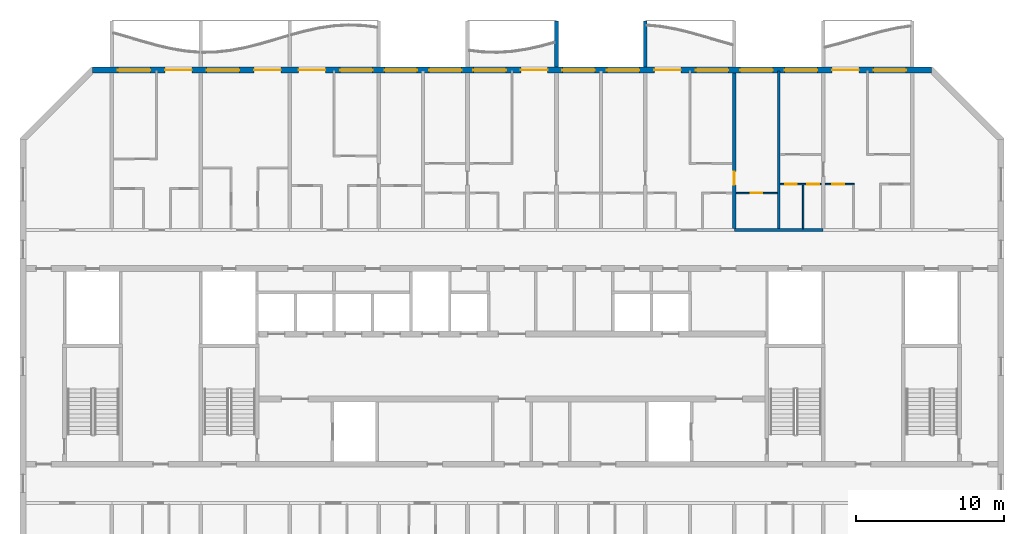
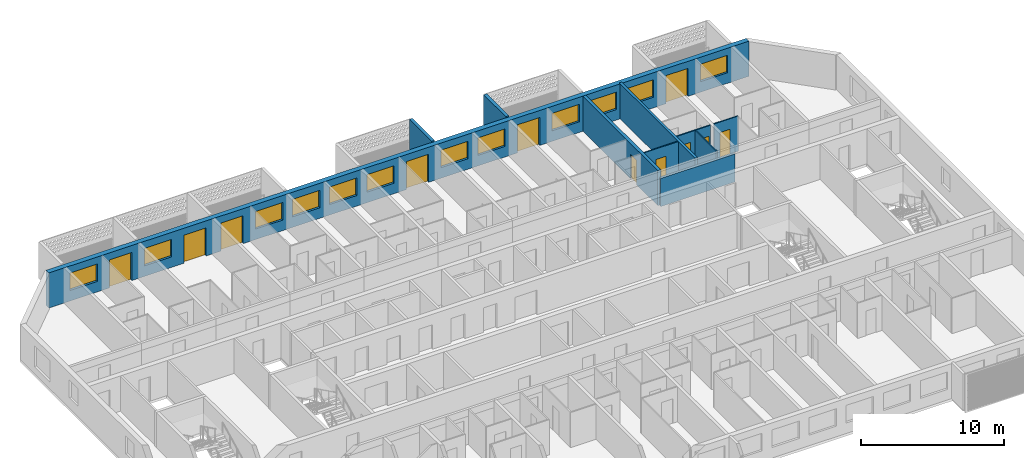
# One storey, part 10 of 27: 12 windows, 11 doors, 10 walls, 23 openings.
"""IFC4 building model written with IfcOpenShell, lengths in metres."""

from ifc_helpers import new_model, si_unit, direction, frame, frame_2d, origin, place, context, subcontext, project, spatial, polyline, rectangle, outline, extrude, source, transform, mapped, material, layer, layer_set, type_object, element, fill, save


model = new_model("IFC4")

# Units and contexts
model_context = context("Model", 3, precision=1e-05, world=origin(), true_north=direction((0.0, 1.0)))
body_context = subcontext(model_context, "Body", "Model", "MODEL_VIEW")
ifc_project = project(units=[si_unit("LENGTHUNIT", "METRE"), si_unit("AREAUNIT", "SQUARE_METRE"), si_unit("VOLUMEUNIT", "CUBIC_METRE"), si_unit("PLANEANGLEUNIT", "RADIAN"), si_unit("MASSUNIT", "GRAM", prefix="KILO")], contexts=[model_context])

# Site, building, storey
site_placement = place(None, origin())
site = spatial("IfcSite", under=ifc_project, at=site_placement, CompositionType="ELEMENT")
building_placement = place(site_placement, origin())
building = spatial("IfcBuilding", under=site, at=building_placement, Name="Poui Terraces", CompositionType="ELEMENT")
storey_placement = place(building_placement, frame((0.0, 0.0, 208.199951171875)))
storey = spatial("IfcBuildingStorey", under=building, at=storey_placement, Name="L58", CompositionType="ELEMENT", Elevation=208.199951171875)

# Wall
ifc_material_1 = material(Name="Concrete 50 MPa", Category="concrete")
ifc_layer_1 = layer(ifc_material_1, 0.199951171875)
ifc_layer_set_1 = layer_set([ifc_layer_1], Name="Concrete 50 MPa")
wall_type_1 = type_object("IfcWallType", Name="CORRIDOR WALL 200 50MPa", PredefinedType="SHEAR", material=ifc_layer_set_1)
wall_1_placement = place(storey_placement, frame((66.0, 30.39990234375, 0.0), z_axis=(0.0, 0.0, 1.0), x_axis=(1.0, 0.0, 0.0)))
element("IfcWall", 1, at=wall_1_placement, inside=storey, type_object=wall_type_1, Name="CORRIDOR WALL LINE E BAY 9", PredefinedType="SHEAR", context=body_context, shape_type="SweptSolid", body=[
    extrude(rectangle(XDim=6.0, YDim=0.199951171875, at=frame_2d((3.0, 0.0))), origin(), (0.0, 0.0, 1.0), 2.400146484375),
])

# Wall, opening, door
ifc_layer_2 = layer(ifc_material_1, 0.25)
ifc_layer_set_2 = layer_set([ifc_layer_2], Name="Concrete 50 MPa")
wall_type_2 = type_object("IfcWallType", Name="CROSS WALL 250 50MPa", PredefinedType="SHEAR", material=ifc_layer_set_2)
wall_2_placement = place(storey_placement, frame((66.0, 30.5, 0.0), z_axis=(0.0, 0.0, 1.0), x_axis=(0.0, 1.0, 0.0)))
wall_2 = element("IfcWall", 2, at=wall_2_placement, inside=storey, type_object=wall_type_2, Name="CROSS WALL LINE 12 NORTH", PredefinedType="SHEAR", context=body_context, shape_type="SweptSolid", body=[
    extrude(rectangle(XDim=10.5, YDim=0.25, at=frame_2d((5.25, 0.0))), origin(), (0.0, 0.0, 1.0), 3.0),
])
opening_1_placement = place(wall_2_placement, frame((2.949951171875, 0.0, 0.0)))
opening_1 = element("IfcOpeningElement", 3, at=opening_1_placement, cuts=wall_2, Name="Opening D90", PredefinedType="OPENING", context=body_context, shape_type="SweptSolid", body=[
    extrude(rectangle(XDim=0.89990234375, YDim=2.10009765625, at=frame_2d((0.449951171875, 1.050048828125))), frame((0.0, 0.135009765625, 0.0), z_axis=(0.0, -1.0, 0.0), x_axis=(1.0, 0.0, 0.0)), (0.0, 0.0, 1.0), 0.27001953125),
])
ifc_material_2 = material(Name="Solid core timber door", Category="wood")
door_type_1 = type_object("IfcDoorType", Name="INTERNAL DOOR 900 X 2100", OperationType="NOTDEFINED", PredefinedType="DOOR", material=ifc_material_2)
door_1_placement = place(opening_1_placement, frame((0.89990234375, 0.0, 0.0), z_axis=(0.0, 0.0, 1.0), x_axis=(-1.0, 0.0, 0.0)))
door_1 = element("IfcDoor", 4, at=door_1_placement, inside=storey, type_object=door_type_1, Name="INTERNAL DOOR 056", OperationType="SINGLE_SWING_RIGHT", OverallHeight=2.10009765625, OverallWidth=0.89990234375, PredefinedType="DOOR", context=body_context, shape_type="SweptSolid", body=[
    extrude(rectangle(XDim=0.89990234375, YDim=2.10009765625, at=frame_2d((0.449951171875, 1.050048828125))), frame((0.0, 0.02490234375, 0.0), z_axis=(0.0, -1.0, 0.0), x_axis=(1.0, 0.0, 0.0)), (0.0, 0.0, 1.0), 0.050048828125),
])
fill(opening_1, door_1)

# Wall, openings, doors, windows
ifc_material_3 = material(Name="Precast concrete 40 MPa", Category="concrete")
ifc_layer_3 = layer(ifc_material_3, 0.39990234375)
ifc_layer_set_3 = layer_set([ifc_layer_3], Name="Precast concrete 40 MPa")
wall_type_3 = type_object("IfcWallType", Name="EXTERNAL WALL 400", PredefinedType="STANDARD", material=ifc_layer_set_3)
wall_3_placement = place(storey_placement, frame((79.317138671875, 41.199951171875, 0.0), z_axis=(0.0, 0.0, 1.0), x_axis=(-1.0, 0.0, 0.0)))
wall_3 = element("IfcWall", 5, at=wall_3_placement, inside=storey, type_object=wall_type_3, Name="EXTERNAL WALL N", PredefinedType="STANDARD", context=body_context, shape_type="SweptSolid", body=[
    extrude(rectangle(XDim=56.63427734375, YDim=0.39990234375, at=frame_2d((28.317138671875, 0.0))), origin(), (0.0, 0.0, 1.0), 3.0),
])
opening_2_placement = place(wall_3_placement, frame((52.71728515625, 0.0, 0.89990234375)))
opening_2 = element("IfcOpeningElement", 6, at=opening_2_placement, cuts=wall_3, Name="Opening W1", PredefinedType="OPENING", context=body_context, shape_type="SweptSolid", body=[
    extrude(rectangle(XDim=2.199951171875, YDim=1.5, at=frame_2d((1.10009765625, 0.75))), frame((0.0, 0.2099609375, 0.0), z_axis=(0.0, -1.0, 0.0), x_axis=(1.0, 0.0, 0.0)), (0.0, 0.0, 1.0), 0.419921875),
])
opening_3_placement = place(wall_3_placement, frame((49.917236328125, 0.0, 0.0)))
opening_3 = element("IfcOpeningElement", 7, at=opening_3_placement, cuts=wall_3, Name="Opening BD1", PredefinedType="OPENING", context=body_context, shape_type="SweptSolid", body=[
    extrude(rectangle(XDim=1.800048828125, YDim=2.39990234375, at=frame_2d((0.89990234375, 1.199951171875))), frame((0.0, 0.2099609375, 0.0), z_axis=(0.0, -1.0, 0.0), x_axis=(1.0, 0.0, 0.0)), (0.0, 0.0, 1.0), 0.419921875),
])
opening_4_placement = place(wall_3_placement, frame((46.71728515625, 0.0, 0.89990234375)))
opening_4 = element("IfcOpeningElement", 8, at=opening_4_placement, cuts=wall_3, Name="Opening W1", PredefinedType="OPENING", context=body_context, shape_type="SweptSolid", body=[
    extrude(rectangle(XDim=2.199951171875, YDim=1.5, at=frame_2d((1.10009765625, 0.75))), frame((0.0, 0.2099609375, 0.0), z_axis=(0.0, -1.0, 0.0), x_axis=(1.0, 0.0, 0.0)), (0.0, 0.0, 1.0), 0.419921875),
])
opening_5_placement = place(wall_3_placement, frame((43.917236328125, 0.0, 0.0)))
opening_5 = element("IfcOpeningElement", 9, at=opening_5_placement, cuts=wall_3, Name="Opening BD1", PredefinedType="OPENING", context=body_context, shape_type="SweptSolid", body=[
    extrude(rectangle(XDim=1.800048828125, YDim=2.39990234375, at=frame_2d((0.89990234375, 1.199951171875))), frame((0.0, 0.2099609375, 0.0), z_axis=(0.0, -1.0, 0.0), x_axis=(1.0, 0.0, 0.0)), (0.0, 0.0, 1.0), 0.419921875),
])
opening_6_placement = place(wall_3_placement, frame((40.917236328125, 0.0, 0.0)))
opening_6 = element("IfcOpeningElement", 10, at=opening_6_placement, cuts=wall_3, Name="Opening BD1", PredefinedType="OPENING", context=body_context, shape_type="SweptSolid", body=[
    extrude(rectangle(XDim=1.800048828125, YDim=2.39990234375, at=frame_2d((0.89990234375, 1.199951171875))), frame((0.0, 0.2099609375, 0.0), z_axis=(0.0, -1.0, 0.0), x_axis=(1.0, 0.0, 0.0)), (0.0, 0.0, 1.0), 0.419921875),
])
opening_7_placement = place(wall_3_placement, frame((37.71728515625, 0.0, 0.89990234375)))
opening_7 = element("IfcOpeningElement", 11, at=opening_7_placement, cuts=wall_3, Name="Opening W1", PredefinedType="OPENING", context=body_context, shape_type="SweptSolid", body=[
    extrude(rectangle(XDim=2.199951171875, YDim=1.5, at=frame_2d((1.10009765625, 0.75))), frame((0.0, 0.2099609375, 0.0), z_axis=(0.0, -1.0, 0.0), x_axis=(1.0, 0.0, 0.0)), (0.0, 0.0, 1.0), 0.419921875),
])
opening_8_placement = place(wall_3_placement, frame((34.71728515625, 0.0, 0.89990234375)))
opening_8 = element("IfcOpeningElement", 12, at=opening_8_placement, cuts=wall_3, Name="Opening W1", PredefinedType="OPENING", context=body_context, shape_type="SweptSolid", body=[
    extrude(rectangle(XDim=2.199951171875, YDim=1.5, at=frame_2d((1.10009765625, 0.75))), frame((0.0, 0.2099609375, 0.0), z_axis=(0.0, -1.0, 0.0), x_axis=(1.0, 0.0, 0.0)), (0.0, 0.0, 1.0), 0.419921875),
])
opening_9_placement = place(wall_3_placement, frame((31.71728515625, 0.0, 0.89990234375)))
opening_9 = element("IfcOpeningElement", 13, at=opening_9_placement, cuts=wall_3, Name="Opening W1", PredefinedType="OPENING", context=body_context, shape_type="SweptSolid", body=[
    extrude(rectangle(XDim=2.199951171875, YDim=1.5, at=frame_2d((1.10009765625, 0.75))), frame((0.0, 0.2099609375, 0.0), z_axis=(0.0, -1.0, 0.0), x_axis=(1.0, 0.0, 0.0)), (0.0, 0.0, 1.0), 0.419921875),
])
opening_10_placement = place(wall_3_placement, frame((28.71728515625, 0.0, 0.89990234375)))
opening_10 = element("IfcOpeningElement", 14, at=opening_10_placement, cuts=wall_3, Name="Opening W1", PredefinedType="OPENING", context=body_context, shape_type="SweptSolid", body=[
    extrude(rectangle(XDim=2.199951171875, YDim=1.5, at=frame_2d((1.10009765625, 0.75))), frame((0.0, 0.2099609375, 0.0), z_axis=(0.0, -1.0, 0.0), x_axis=(1.0, 0.0, 0.0)), (0.0, 0.0, 1.0), 0.419921875),
])
opening_11_placement = place(wall_3_placement, frame((25.917236328125, 0.0, 0.0)))
opening_11 = element("IfcOpeningElement", 15, at=opening_11_placement, cuts=wall_3, Name="Opening BD1", PredefinedType="OPENING", context=body_context, shape_type="SweptSolid", body=[
    extrude(rectangle(XDim=1.800048828125, YDim=2.39990234375, at=frame_2d((0.89990234375, 1.199951171875))), frame((0.0, 0.2099609375, 0.0), z_axis=(0.0, -1.0, 0.0), x_axis=(1.0, 0.0, 0.0)), (0.0, 0.0, 1.0), 0.419921875),
])
opening_12_placement = place(wall_3_placement, frame((22.71728515625, 0.0, 0.89990234375)))
opening_12 = element("IfcOpeningElement", 16, at=opening_12_placement, cuts=wall_3, Name="Opening W1", PredefinedType="OPENING", context=body_context, shape_type="SweptSolid", body=[
    extrude(rectangle(XDim=2.199951171875, YDim=1.5, at=frame_2d((1.10009765625, 0.75))), frame((0.0, 0.2099609375, 0.0), z_axis=(0.0, -1.0, 0.0), x_axis=(1.0, 0.0, 0.0)), (0.0, 0.0, 1.0), 0.419921875),
])
opening_13_placement = place(wall_3_placement, frame((19.71728515625, 0.0, 0.89990234375)))
opening_13 = element("IfcOpeningElement", 17, at=opening_13_placement, cuts=wall_3, Name="Opening W1", PredefinedType="OPENING", context=body_context, shape_type="SweptSolid", body=[
    extrude(rectangle(XDim=2.199951171875, YDim=1.5, at=frame_2d((1.10009765625, 0.75))), frame((0.0, 0.2099609375, 0.0), z_axis=(0.0, -1.0, 0.0), x_axis=(1.0, 0.0, 0.0)), (0.0, 0.0, 1.0), 0.419921875),
])
opening_14_placement = place(wall_3_placement, frame((16.917236328125, 0.0, 0.0)))
opening_14 = element("IfcOpeningElement", 18, at=opening_14_placement, cuts=wall_3, Name="Opening BD1", PredefinedType="OPENING", context=body_context, shape_type="SweptSolid", body=[
    extrude(rectangle(XDim=1.800048828125, YDim=2.39990234375, at=frame_2d((0.89990234375, 1.199951171875))), frame((0.0, 0.2099609375, 0.0), z_axis=(0.0, -1.0, 0.0), x_axis=(1.0, 0.0, 0.0)), (0.0, 0.0, 1.0), 0.419921875),
])
opening_15_placement = place(wall_3_placement, frame((13.71728515625, 0.0, 0.89990234375)))
opening_15 = element("IfcOpeningElement", 19, at=opening_15_placement, cuts=wall_3, Name="Opening W1", PredefinedType="OPENING", context=body_context, shape_type="SweptSolid", body=[
    extrude(rectangle(XDim=2.199951171875, YDim=1.5, at=frame_2d((1.10009765625, 0.75))), frame((0.0, 0.2099609375, 0.0), z_axis=(0.0, -1.0, 0.0), x_axis=(1.0, 0.0, 0.0)), (0.0, 0.0, 1.0), 0.419921875),
])
opening_16_placement = place(wall_3_placement, frame((10.71728515625, 0.0, 0.89990234375)))
opening_16 = element("IfcOpeningElement", 20, at=opening_16_placement, cuts=wall_3, Name="Opening W1", PredefinedType="OPENING", context=body_context, shape_type="SweptSolid", body=[
    extrude(rectangle(XDim=2.199951171875, YDim=1.5, at=frame_2d((1.10009765625, 0.75))), frame((0.0, 0.2099609375, 0.0), z_axis=(0.0, -1.0, 0.0), x_axis=(1.0, 0.0, 0.0)), (0.0, 0.0, 1.0), 0.419921875),
])
opening_17_placement = place(wall_3_placement, frame((7.71728515625, 0.0, 0.89990234375)))
opening_17 = element("IfcOpeningElement", 21, at=opening_17_placement, cuts=wall_3, Name="Opening W1", PredefinedType="OPENING", context=body_context, shape_type="SweptSolid", body=[
    extrude(rectangle(XDim=2.199951171875, YDim=1.5, at=frame_2d((1.10009765625, 0.75))), frame((0.0, 0.2099609375, 0.0), z_axis=(0.0, -1.0, 0.0), x_axis=(1.0, 0.0, 0.0)), (0.0, 0.0, 1.0), 0.419921875),
])
opening_18_placement = place(wall_3_placement, frame((4.917236328125, 0.0, 0.0)))
opening_18 = element("IfcOpeningElement", 22, at=opening_18_placement, cuts=wall_3, Name="Opening BD1", PredefinedType="OPENING", context=body_context, shape_type="SweptSolid", body=[
    extrude(rectangle(XDim=1.800048828125, YDim=2.39990234375, at=frame_2d((0.89990234375, 1.199951171875))), frame((0.0, 0.2099609375, 0.0), z_axis=(0.0, -1.0, 0.0), x_axis=(1.0, 0.0, 0.0)), (0.0, 0.0, 1.0), 0.419921875),
])
opening_19_placement = place(wall_3_placement, frame((1.71728515625, 0.0, 0.89990234375)))
opening_19 = element("IfcOpeningElement", 23, at=opening_19_placement, cuts=wall_3, Name="Opening W1", PredefinedType="OPENING", context=body_context, shape_type="SweptSolid", body=[
    extrude(rectangle(XDim=2.199951171875, YDim=1.5, at=frame_2d((1.10009765625, 0.75))), frame((0.0, 0.2099609375, 0.0), z_axis=(0.0, -1.0, 0.0), x_axis=(1.0, 0.0, 0.0)), (0.0, 0.0, 1.0), 0.419921875),
])
ifc_material_4 = material(Name="Clear glass in aluminium frame", Category="aluminium")
door_type_2 = type_object("IfcDoorType", Name="BALCONY DOOR 1800X2400", OperationType="DOUBLE_DOOR_SLIDING", PredefinedType="DOOR", material=ifc_material_4)
door_2_placement = place(opening_3_placement, origin())
door_2 = element("IfcDoor", 24, at=door_2_placement, inside=storey, type_object=door_type_2, Name="BD1 BALCONY DOOR", OperationType="DOUBLE_DOOR_SLIDING", OverallHeight=2.39990234375, OverallWidth=1.800048828125, PredefinedType="DOOR", context=body_context, shape_type="SweptSolid", body=[
    extrude(rectangle(XDim=1.800048828125, YDim=2.39990234375, at=frame_2d((0.89990234375, 1.199951171875))), frame((0.0, 0.02490234375, 0.0), z_axis=(0.0, -1.0, 0.0), x_axis=(1.0, 0.0, 0.0)), (0.0, 0.0, 1.0), 0.050048828125),
])
fill(opening_3, door_2)
door_3_placement = place(opening_5_placement, origin())
door_3 = element("IfcDoor", 25, at=door_3_placement, inside=storey, type_object=door_type_2, Name="BD1 BALCONY DOOR", OperationType="DOUBLE_DOOR_SLIDING", OverallHeight=2.39990234375, OverallWidth=1.800048828125, PredefinedType="DOOR", context=body_context, shape_type="SweptSolid", body=[
    extrude(rectangle(XDim=1.800048828125, YDim=2.39990234375, at=frame_2d((0.89990234375, 1.199951171875))), frame((0.0, 0.02490234375, 0.0), z_axis=(0.0, -1.0, 0.0), x_axis=(1.0, 0.0, 0.0)), (0.0, 0.0, 1.0), 0.050048828125),
])
fill(opening_5, door_3)
door_4_placement = place(opening_6_placement, origin())
door_4 = element("IfcDoor", 26, at=door_4_placement, inside=storey, type_object=door_type_2, Name="BD1 BALCONY DOOR", OperationType="DOUBLE_DOOR_SLIDING", OverallHeight=2.39990234375, OverallWidth=1.800048828125, PredefinedType="DOOR", context=body_context, shape_type="SweptSolid", body=[
    extrude(rectangle(XDim=1.800048828125, YDim=2.39990234375, at=frame_2d((0.89990234375, 1.199951171875))), frame((0.0, 0.02490234375, 0.0), z_axis=(0.0, -1.0, 0.0), x_axis=(1.0, 0.0, 0.0)), (0.0, 0.0, 1.0), 0.050048828125),
])
fill(opening_6, door_4)
door_5_placement = place(opening_11_placement, origin())
door_5 = element("IfcDoor", 27, at=door_5_placement, inside=storey, type_object=door_type_2, Name="BD1 BALCONY DOOR", OperationType="DOUBLE_DOOR_SLIDING", OverallHeight=2.39990234375, OverallWidth=1.800048828125, PredefinedType="DOOR", context=body_context, shape_type="SweptSolid", body=[
    extrude(rectangle(XDim=1.800048828125, YDim=2.39990234375, at=frame_2d((0.89990234375, 1.199951171875))), frame((0.0, 0.02490234375, 0.0), z_axis=(0.0, -1.0, 0.0), x_axis=(1.0, 0.0, 0.0)), (0.0, 0.0, 1.0), 0.050048828125),
])
fill(opening_11, door_5)
door_6_placement = place(opening_14_placement, origin())
door_6 = element("IfcDoor", 28, at=door_6_placement, inside=storey, type_object=door_type_2, Name="BD1 BALCONY DOOR", OperationType="DOUBLE_DOOR_SLIDING", OverallHeight=2.39990234375, OverallWidth=1.800048828125, PredefinedType="DOOR", context=body_context, shape_type="SweptSolid", body=[
    extrude(rectangle(XDim=1.800048828125, YDim=2.39990234375, at=frame_2d((0.89990234375, 1.199951171875))), frame((0.0, 0.02490234375, 0.0), z_axis=(0.0, -1.0, 0.0), x_axis=(1.0, 0.0, 0.0)), (0.0, 0.0, 1.0), 0.050048828125),
])
fill(opening_14, door_6)
door_7_placement = place(opening_18_placement, origin())
door_7 = element("IfcDoor", 29, at=door_7_placement, inside=storey, type_object=door_type_2, Name="BD1 BALCONY DOOR", OperationType="DOUBLE_DOOR_SLIDING", OverallHeight=2.39990234375, OverallWidth=1.800048828125, PredefinedType="DOOR", context=body_context, shape_type="SweptSolid", body=[
    extrude(rectangle(XDim=1.800048828125, YDim=2.39990234375, at=frame_2d((0.89990234375, 1.199951171875))), frame((0.0, 0.02490234375, 0.0), z_axis=(0.0, -1.0, 0.0), x_axis=(1.0, 0.0, 0.0)), (0.0, 0.0, 1.0), 0.050048828125),
])
fill(opening_18, door_7)
window_type = type_object("IfcWindowType", Name="WINDOW 2200X1500", PartitioningType="DOUBLE_PANEL_HORIZONTAL", PredefinedType="WINDOW", material=ifc_material_4)
window_1_placement = place(opening_2_placement, origin())
window_1 = element("IfcWindow", 30, at=window_1_placement, inside=storey, type_object=window_type, Name="W1 WINDOW", OverallHeight=1.5, OverallWidth=2.199951171875, PartitioningType="DOUBLE_PANEL_HORIZONTAL", PredefinedType="WINDOW", context=body_context, shape_type="SweptSolid", body=[
    extrude(rectangle(XDim=2.199951171875, YDim=1.5, at=frame_2d((1.10009765625, 0.75))), frame((0.0, 0.030029296875, 0.0), z_axis=(0.0, -1.0, 0.0), x_axis=(1.0, 0.0, 0.0)), (0.0, 0.0, 1.0), 0.06005859375),
])
fill(opening_2, window_1)
window_2_placement = place(opening_4_placement, origin())
window_2 = element("IfcWindow", 31, at=window_2_placement, inside=storey, type_object=window_type, Name="W1 WINDOW", OverallHeight=1.5, OverallWidth=2.199951171875, PartitioningType="DOUBLE_PANEL_HORIZONTAL", PredefinedType="WINDOW", context=body_context, shape_type="SweptSolid", body=[
    extrude(rectangle(XDim=2.199951171875, YDim=1.5, at=frame_2d((1.10009765625, 0.75))), frame((0.0, 0.030029296875, 0.0), z_axis=(0.0, -1.0, 0.0), x_axis=(1.0, 0.0, 0.0)), (0.0, 0.0, 1.0), 0.06005859375),
])
fill(opening_4, window_2)
window_3_placement = place(opening_7_placement, origin())
window_3 = element("IfcWindow", 32, at=window_3_placement, inside=storey, type_object=window_type, Name="W1 WINDOW", OverallHeight=1.5, OverallWidth=2.199951171875, PartitioningType="DOUBLE_PANEL_HORIZONTAL", PredefinedType="WINDOW", context=body_context, shape_type="SweptSolid", body=[
    extrude(rectangle(XDim=2.199951171875, YDim=1.5, at=frame_2d((1.10009765625, 0.75))), frame((0.0, 0.030029296875, 0.0), z_axis=(0.0, -1.0, 0.0), x_axis=(1.0, 0.0, 0.0)), (0.0, 0.0, 1.0), 0.06005859375),
])
fill(opening_7, window_3)
window_4_placement = place(opening_8_placement, origin())
window_4 = element("IfcWindow", 33, at=window_4_placement, inside=storey, type_object=window_type, Name="W1 WINDOW", OverallHeight=1.5, OverallWidth=2.199951171875, PartitioningType="DOUBLE_PANEL_HORIZONTAL", PredefinedType="WINDOW", context=body_context, shape_type="SweptSolid", body=[
    extrude(rectangle(XDim=2.199951171875, YDim=1.5, at=frame_2d((1.10009765625, 0.75))), frame((0.0, 0.030029296875, 0.0), z_axis=(0.0, -1.0, 0.0), x_axis=(1.0, 0.0, 0.0)), (0.0, 0.0, 1.0), 0.06005859375),
])
fill(opening_8, window_4)
window_5_placement = place(opening_9_placement, origin())
window_5 = element("IfcWindow", 34, at=window_5_placement, inside=storey, type_object=window_type, Name="W1 WINDOW", OverallHeight=1.5, OverallWidth=2.199951171875, PartitioningType="DOUBLE_PANEL_HORIZONTAL", PredefinedType="WINDOW", context=body_context, shape_type="SweptSolid", body=[
    extrude(rectangle(XDim=2.199951171875, YDim=1.5, at=frame_2d((1.10009765625, 0.75))), frame((0.0, 0.030029296875, 0.0), z_axis=(0.0, -1.0, 0.0), x_axis=(1.0, 0.0, 0.0)), (0.0, 0.0, 1.0), 0.06005859375),
])
fill(opening_9, window_5)
window_6_placement = place(opening_10_placement, origin())
window_6 = element("IfcWindow", 35, at=window_6_placement, inside=storey, type_object=window_type, Name="W1 WINDOW", OverallHeight=1.5, OverallWidth=2.199951171875, PartitioningType="DOUBLE_PANEL_HORIZONTAL", PredefinedType="WINDOW", context=body_context, shape_type="SweptSolid", body=[
    extrude(rectangle(XDim=2.199951171875, YDim=1.5, at=frame_2d((1.10009765625, 0.75))), frame((0.0, 0.030029296875, 0.0), z_axis=(0.0, -1.0, 0.0), x_axis=(1.0, 0.0, 0.0)), (0.0, 0.0, 1.0), 0.06005859375),
])
fill(opening_10, window_6)
window_7_placement = place(opening_12_placement, origin())
window_7 = element("IfcWindow", 36, at=window_7_placement, inside=storey, type_object=window_type, Name="W1 WINDOW", OverallHeight=1.5, OverallWidth=2.199951171875, PartitioningType="DOUBLE_PANEL_HORIZONTAL", PredefinedType="WINDOW", context=body_context, shape_type="SweptSolid", body=[
    extrude(rectangle(XDim=2.199951171875, YDim=1.5, at=frame_2d((1.10009765625, 0.75))), frame((0.0, 0.030029296875, 0.0), z_axis=(0.0, -1.0, 0.0), x_axis=(1.0, 0.0, 0.0)), (0.0, 0.0, 1.0), 0.06005859375),
])
fill(opening_12, window_7)
window_8_placement = place(opening_13_placement, origin())
window_8 = element("IfcWindow", 37, at=window_8_placement, inside=storey, type_object=window_type, Name="W1 WINDOW", OverallHeight=1.5, OverallWidth=2.199951171875, PartitioningType="DOUBLE_PANEL_HORIZONTAL", PredefinedType="WINDOW", context=body_context, shape_type="SweptSolid", body=[
    extrude(rectangle(XDim=2.199951171875, YDim=1.5, at=frame_2d((1.10009765625, 0.75))), frame((0.0, 0.030029296875, 0.0), z_axis=(0.0, -1.0, 0.0), x_axis=(1.0, 0.0, 0.0)), (0.0, 0.0, 1.0), 0.06005859375),
])
fill(opening_13, window_8)
window_9_placement = place(opening_15_placement, origin())
window_9 = element("IfcWindow", 38, at=window_9_placement, inside=storey, type_object=window_type, Name="W1 WINDOW", OverallHeight=1.5, OverallWidth=2.199951171875, PartitioningType="DOUBLE_PANEL_HORIZONTAL", PredefinedType="WINDOW", context=body_context, shape_type="SweptSolid", body=[
    extrude(rectangle(XDim=2.199951171875, YDim=1.5, at=frame_2d((1.10009765625, 0.75))), frame((0.0, 0.030029296875, 0.0), z_axis=(0.0, -1.0, 0.0), x_axis=(1.0, 0.0, 0.0)), (0.0, 0.0, 1.0), 0.06005859375),
])
fill(opening_15, window_9)
window_10_placement = place(opening_16_placement, origin())
window_10 = element("IfcWindow", 39, at=window_10_placement, inside=storey, type_object=window_type, Name="W1 WINDOW", OverallHeight=1.5, OverallWidth=2.199951171875, PartitioningType="DOUBLE_PANEL_HORIZONTAL", PredefinedType="WINDOW", context=body_context, shape_type="SweptSolid", body=[
    extrude(rectangle(XDim=2.199951171875, YDim=1.5, at=frame_2d((1.10009765625, 0.75))), frame((0.0, 0.030029296875, 0.0), z_axis=(0.0, -1.0, 0.0), x_axis=(1.0, 0.0, 0.0)), (0.0, 0.0, 1.0), 0.06005859375),
])
fill(opening_16, window_10)
window_11_placement = place(opening_17_placement, origin())
window_11 = element("IfcWindow", 40, at=window_11_placement, inside=storey, type_object=window_type, Name="W1 WINDOW", OverallHeight=1.5, OverallWidth=2.199951171875, PartitioningType="DOUBLE_PANEL_HORIZONTAL", PredefinedType="WINDOW", context=body_context, shape_type="SweptSolid", body=[
    extrude(rectangle(XDim=2.199951171875, YDim=1.5, at=frame_2d((1.10009765625, 0.75))), frame((0.0, 0.030029296875, 0.0), z_axis=(0.0, -1.0, 0.0), x_axis=(1.0, 0.0, 0.0)), (0.0, 0.0, 1.0), 0.06005859375),
])
fill(opening_17, window_11)
window_12_placement = place(opening_19_placement, origin())
window_12 = element("IfcWindow", 41, at=window_12_placement, inside=storey, type_object=window_type, Name="W1 WINDOW", OverallHeight=1.5, OverallWidth=2.199951171875, PartitioningType="DOUBLE_PANEL_HORIZONTAL", PredefinedType="WINDOW", context=body_context, shape_type="SweptSolid", body=[
    extrude(rectangle(XDim=2.199951171875, YDim=1.5, at=frame_2d((1.10009765625, 0.75))), frame((0.0, 0.030029296875, 0.0), z_axis=(0.0, -1.0, 0.0), x_axis=(1.0, 0.0, 0.0)), (0.0, 0.0, 1.0), 0.06005859375),
])
fill(opening_19, window_12)

# Wall, opening, door
ifc_material_5 = material(Name="Plasterboard partition")
ifc_layer_4 = layer(ifc_material_5, 0.10009765625)
ifc_layer_set_4 = layer_set([ifc_layer_4], Name="Plasterboard partition")
wall_type_4 = type_object("IfcWallType", Name="FLAT PARTITION 100", PredefinedType="PARTITIONING", material=ifc_layer_set_4)
wall_4_placement = place(storey_placement, frame((66.135009765625, 32.89990234375, 0.0), z_axis=(0.0, 0.0, 1.0), x_axis=(1.0, 0.0, 0.0)))
wall_4 = element("IfcWall", 42, at=wall_4_placement, inside=storey, type_object=wall_type_4, Name="FLAT PARTITION 100", PredefinedType="PARTITIONING", context=body_context, shape_type="SweptSolid", body=[
    extrude(rectangle(XDim=2.764892578125, YDim=0.10009765625, at=frame_2d((1.38232421875, 0.0))), origin(), (0.0, 0.0, 1.0), 3.0),
])
opening_20_placement = place(wall_4_placement, frame((0.965087890625, 0.0, 0.0)))
opening_20 = element("IfcOpeningElement", 43, at=opening_20_placement, cuts=wall_4, Name="Opening D80", PredefinedType="OPENING", context=body_context, shape_type="SweptSolid", body=[
    extrude(rectangle(XDim=0.800048828125, YDim=2.10009765625, at=frame_2d((0.39990234375, 1.050048828125))), frame((0.0, 0.06005859375, 0.0), z_axis=(0.0, -1.0, 0.0), x_axis=(1.0, 0.0, 0.0)), (0.0, 0.0, 1.0), 0.1201171875),
])
door_type_3 = type_object("IfcDoorType", Name="BATHROOM, LAUNDRY AND STORE DOOR 800 X 2100", OperationType="NOTDEFINED", PredefinedType="DOOR", material=ifc_material_2)
door_8_placement = place(opening_20_placement, frame((0.800048828125, 0.0, 0.0), z_axis=(0.0, 0.0, 1.0), x_axis=(-1.0, 0.0, 0.0)))
door_8 = element("IfcDoor", 44, at=door_8_placement, inside=storey, type_object=door_type_3, Name="BATHROOM, LAUNDRY AND STORE DOOR 050", OperationType="SINGLE_SWING_LEFT", OverallHeight=2.10009765625, OverallWidth=0.800048828125, PredefinedType="DOOR", context=body_context, shape_type="SweptSolid", body=[
    extrude(rectangle(XDim=0.800048828125, YDim=2.10009765625, at=frame_2d((0.39990234375, 1.050048828125))), frame((0.0, 0.02490234375, 0.0), z_axis=(0.0, -1.0, 0.0), x_axis=(1.0, 0.0, 0.0)), (0.0, 0.0, 1.0), 0.050048828125),
])
fill(opening_20, door_8)

# Wall, openings, doors
wall_5_placement = place(storey_placement, frame((69.10009765625, 33.5, 0.0), z_axis=(0.0, 0.0, 1.0), x_axis=(1.0, 0.0, 0.0)))
wall_5 = element("IfcWall", 45, at=wall_5_placement, inside=storey, type_object=wall_type_4, Name="FLAT PARTITION 100", PredefinedType="PARTITIONING", context=body_context, shape_type="SweptSolid", body=[
    extrude(rectangle(XDim=2.764892578125, YDim=0.10009765625, at=frame_2d((1.38232421875, 0.0))), origin(), (0.0, 0.0, 1.0), 3.0),
])
opening_21_placement = place(wall_5_placement, frame((0.324951171875, 0.0, 0.0)))
opening_21 = element("IfcOpeningElement", 46, at=opening_21_placement, cuts=wall_5, Name="Opening D80", PredefinedType="OPENING", context=body_context, shape_type="SweptSolid", body=[
    extrude(rectangle(XDim=0.800048828125, YDim=2.10009765625, at=frame_2d((0.39990234375, 1.050048828125))), frame((0.0, 0.06005859375, 0.0), z_axis=(0.0, -1.0, 0.0), x_axis=(1.0, 0.0, 0.0)), (0.0, 0.0, 1.0), 0.1201171875),
])
opening_22_placement = place(wall_5_placement, frame((1.824951171875, 0.0, 0.0)))
opening_22 = element("IfcOpeningElement", 47, at=opening_22_placement, cuts=wall_5, Name="Opening D80", PredefinedType="OPENING", context=body_context, shape_type="SweptSolid", body=[
    extrude(rectangle(XDim=0.800048828125, YDim=2.10009765625, at=frame_2d((0.39990234375, 1.050048828125))), frame((0.0, 0.06005859375, 0.0), z_axis=(0.0, -1.0, 0.0), x_axis=(1.0, 0.0, 0.0)), (0.0, 0.0, 1.0), 0.1201171875),
])
door_9_placement = place(opening_21_placement, frame((0.800048828125, 0.0, 0.0), z_axis=(0.0, 0.0, 1.0), x_axis=(-1.0, 0.0, 0.0)))
door_9 = element("IfcDoor", 48, at=door_9_placement, inside=storey, type_object=door_type_3, Name="BATHROOM, LAUNDRY AND STORE DOOR 057", OperationType="SINGLE_SWING_LEFT", OverallHeight=2.10009765625, OverallWidth=0.800048828125, PredefinedType="DOOR", context=body_context, shape_type="SweptSolid", body=[
    extrude(rectangle(XDim=0.800048828125, YDim=2.10009765625, at=frame_2d((0.39990234375, 1.050048828125))), frame((0.0, 0.02490234375, 0.0), z_axis=(0.0, -1.0, 0.0), x_axis=(1.0, 0.0, 0.0)), (0.0, 0.0, 1.0), 0.050048828125),
])
fill(opening_21, door_9)
door_10_placement = place(opening_22_placement, frame((0.800048828125, 0.0, 0.0), z_axis=(0.0, 0.0, 1.0), x_axis=(-1.0, 0.0, 0.0)))
door_10 = element("IfcDoor", 49, at=door_10_placement, inside=storey, type_object=door_type_3, Name="BATHROOM, LAUNDRY AND STORE DOOR 059", OperationType="SINGLE_SWING_RIGHT", OverallHeight=2.10009765625, OverallWidth=0.800048828125, PredefinedType="DOOR", context=body_context, shape_type="SweptSolid", body=[
    extrude(rectangle(XDim=0.800048828125, YDim=2.10009765625, at=frame_2d((0.39990234375, 1.050048828125))), frame((0.0, 0.02490234375, 0.0), z_axis=(0.0, -1.0, 0.0), x_axis=(1.0, 0.0, 0.0)), (0.0, 0.0, 1.0), 0.050048828125),
])
fill(opening_22, door_10)

# Wall, opening, door
wall_6_placement = place(storey_placement, frame((72.135009765625, 33.5, 0.0), z_axis=(0.0, 0.0, 1.0), x_axis=(1.0, 0.0, 0.0)))
wall_6 = element("IfcWall", 50, at=wall_6_placement, inside=storey, type_object=wall_type_4, Name="FLAT PARTITION 100", PredefinedType="PARTITIONING", context=body_context, shape_type="SweptSolid", body=[
    extrude(rectangle(XDim=1.965087890625, YDim=0.10009765625, at=frame_2d((0.982421875, 0.0))), origin(), (0.0, 0.0, 1.0), 3.0),
])
opening_23_placement = place(wall_6_placement, frame((0.489990234375, 0.0, 0.0)))
opening_23 = element("IfcOpeningElement", 51, at=opening_23_placement, cuts=wall_6, Name="Opening D80", PredefinedType="OPENING", context=body_context, shape_type="SweptSolid", body=[
    extrude(rectangle(XDim=0.800048828125, YDim=2.10009765625, at=frame_2d((0.39990234375, 1.050048828125))), frame((0.0, 0.06005859375, 0.0), z_axis=(0.0, -1.0, 0.0), x_axis=(1.0, 0.0, 0.0)), (0.0, 0.0, 1.0), 0.1201171875),
])
door_11_placement = place(opening_23_placement, frame((0.800048828125, 0.0, 0.0), z_axis=(0.0, 0.0, 1.0), x_axis=(-1.0, 0.0, 0.0)))
door_11 = element("IfcDoor", 52, at=door_11_placement, inside=storey, type_object=door_type_3, Name="BATHROOM, LAUNDRY AND STORE DOOR 061", OperationType="SINGLE_SWING_LEFT", OverallHeight=2.10009765625, OverallWidth=0.800048828125, PredefinedType="DOOR", context=body_context, shape_type="SweptSolid", body=[
    extrude(rectangle(XDim=0.800048828125, YDim=2.10009765625, at=frame_2d((0.39990234375, 1.050048828125))), frame((0.0, 0.02490234375, 0.0), z_axis=(0.0, -1.0, 0.0), x_axis=(1.0, 0.0, 0.0)), (0.0, 0.0, 1.0), 0.050048828125),
])
fill(opening_23, door_11)

# Walls
wall_7_placement = place(storey_placement, frame((70.64990234375, 30.510009765625, 0.0), z_axis=(0.0, 0.0, 1.0), x_axis=(0.0, 1.0, 0.0)))
element("IfcWall", 53, at=wall_7_placement, inside=storey, type_object=wall_type_4, Name="FLAT PARTITION 100", PredefinedType="PARTITIONING", context=body_context, shape_type="SweptSolid", body=[
    extrude(rectangle(XDim=2.93994140625, YDim=0.10009765625, at=frame_2d((1.469970703125, 0.0))), origin(), (0.0, 0.0, 1.0), 3.0),
])
ifc_material_6 = material(Name="Fire-rated masonry wall", Category="masonry")
ifc_layer_5 = layer(ifc_material_6, 0.199951171875)
ifc_layer_set_5 = layer_set([ifc_layer_5], Name="Fire-rated masonry wall")
wall_type_5 = type_object("IfcWallType", Name="FLAT PARTY WALL 200", PredefinedType="PARTITIONING", material=ifc_layer_set_5)
wall_8_placement = place(storey_placement, frame((69.0, 30.510009765625, 0.0), z_axis=(0.0, 0.0, 1.0), x_axis=(0.0, 1.0, 0.0)))
element("IfcWall", 54, at=wall_8_placement, inside=storey, type_object=wall_type_5, Name="FLAT PARTY WALL 200", PredefinedType="PARTITIONING", context=body_context, shape_type="SweptSolid", body=[
    extrude(rectangle(XDim=10.6298828125, YDim=0.199951171875, at=frame_2d((5.31494140625, 0.0))), origin(), (0.0, 0.0, 1.0), 3.0),
])
ifc_layer_6 = layer(ifc_material_3, 0.25)
ifc_layer_set_6 = layer_set([ifc_layer_6], Name="Precast concrete 40 MPa")
wall_type_6 = type_object("IfcWallType", Name="BALCONY FIN 250", PredefinedType="STANDARD", material=ifc_layer_set_6)
shared_shape = source(origin(), body_context, "Body", "SweptSolid", [
    extrude(outline(polyline([(0.0, 0.0), (0.25, 0.0), (0.25, 3.10009765625), (0.0, 3.10009765625), (0.0, 0.0)])), origin(), (0.0, 0.0, 1.0), 3.10009765625),
])
for number, where, name in (
    (55, (53.875, 41.39990234375, 0.0), "BALCONY FIN"),
    (56, (59.875, 41.39990234375, 0.0), "BALCONY FIN"),
):
    element("IfcWall", number, at=place(storey_placement, frame(where)), inside=storey, type_object=wall_type_6, Name=name, PredefinedType="STANDARD", context=body_context, shape_type="MappedRepresentation", body=[
        mapped(shared_shape, transform((0.0, 0.0, 0.0))),
    ])

save(model, "model.ifc")
